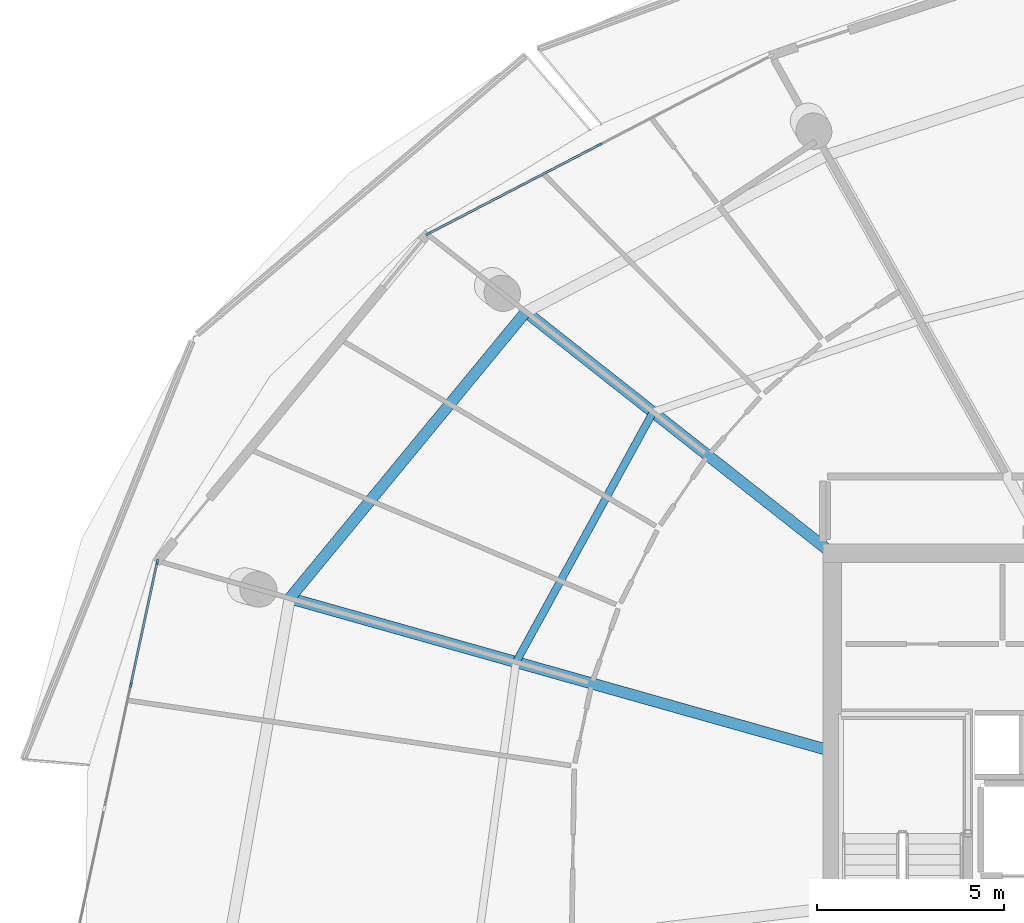
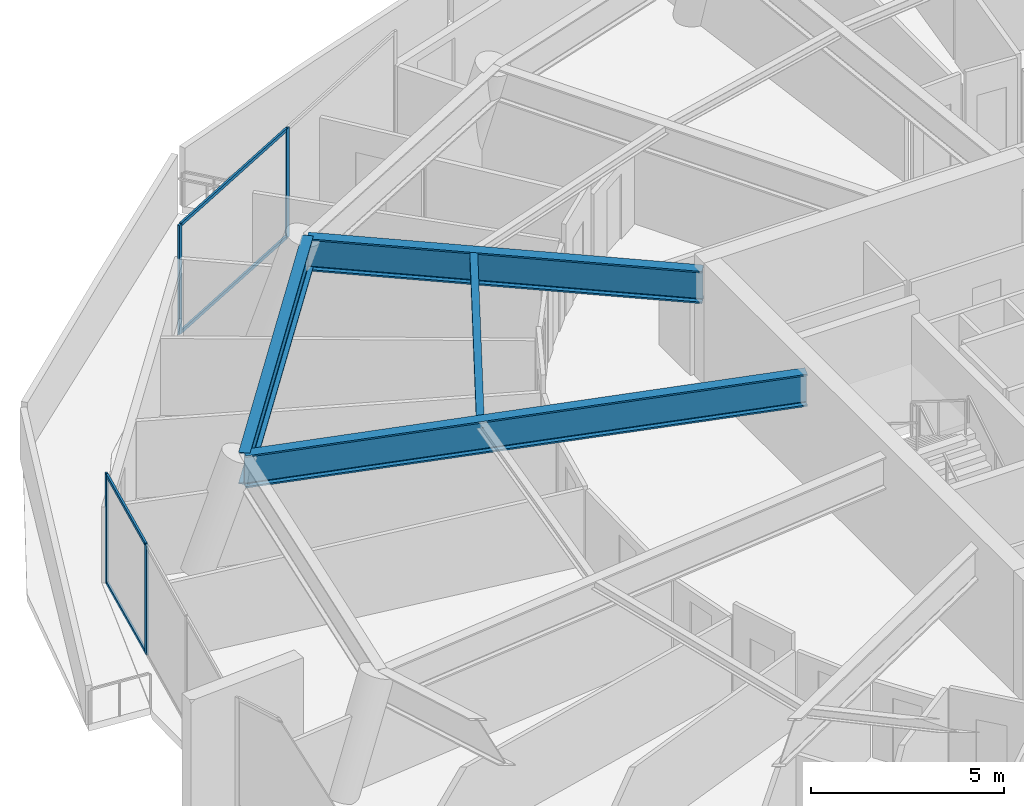
# One storey, part 12 of 30: 8 members, 4 beams, 2 elements without a shape of their own.
"""IFC4 building model written with IfcOpenShell, lengths in metres."""

from ifc_helpers import new_model, si_unit, direction, frame, origin, origin_2d, place, context, subcontext, project, spatial, rectangle, i_section, extrude, material, layer, layer_set, material_profile, profile_set, type_object, element, aggregate, save


model = new_model("IFC4")

# Units and contexts
model_context = context("Model", 3, precision=1e-05, world=origin(), true_north=direction((0.0, 1.0)))
body_context = subcontext(model_context, "Body", "Model", "MODEL_VIEW")
ifc_project = project(units=[si_unit("LENGTHUNIT", "METRE"), si_unit("AREAUNIT", "SQUARE_METRE"), si_unit("VOLUMEUNIT", "CUBIC_METRE"), si_unit("PLANEANGLEUNIT", "RADIAN"), si_unit("MASSUNIT", "GRAM", prefix="KILO")], contexts=[model_context])

# Site, building, storey
site_placement = place(None, origin())
site = spatial("IfcSite", under=ifc_project, at=site_placement, CompositionType="ELEMENT")
building_placement = place(site_placement, origin())
building = spatial("IfcBuilding", under=site, at=building_placement, Name="Kazma Halo Residences", CompositionType="ELEMENT")
storey_placement = place(building_placement, frame((0.0, 0.0, 302.14990234375)))
storey = spatial("IfcBuildingStorey", under=building, at=storey_placement, Name="L76", CompositionType="ELEMENT", Elevation=302.14990234375)

# Beams
ifc_material_1 = material(Name="Steel S355", Category="steel")
ifc_material_profile_1 = material_profile(ifc_material_1, i_section(OverallWidth=0.202880859375, OverallDepth=0.302978515625, WebThickness=0.007568359375, FlangeThickness=0.01318359375, FilletRadius=0.013916015625, at=origin_2d()), Name="W310x60")
ifc_profile_set_1 = profile_set([ifc_material_profile_1], Name="Steel S355")
beam_type_1 = type_object("IfcBeamType", Name="BM-SEC-W310A", PredefinedType="JOIST", material=ifc_profile_set_1)
beam_1_placement = place(storey_placement, frame((32.75, 54.022216796875, 3.298583984375), z_axis=(-0.48038792243, -0.877056123623, 0.0), x_axis=(0.877056123623, -0.48038792243, 0.0)))
element("IfcBeam", 1, at=beam_1_placement, inside=storey, type_object=beam_type_1, Name="L76 circumferential floor joist 06", PredefinedType="JOIST", context=body_context, shape_type="SweptSolid", body=[
    extrude(i_section(OverallWidth=0.202880859375, OverallDepth=0.302978515625, WebThickness=0.007568359375, FlangeThickness=0.01318359375, FilletRadius=0.013916015625, at=origin_2d()), origin(), (0.0, 0.0, 1.0), 7.625732421875),
])
ifc_material_profile_2 = material_profile(ifc_material_1, i_section(OverallWidth=0.302001953125, OverallDepth=1.01806640625, WebThickness=0.021484375, FlangeThickness=0.049072265625, FilletRadius=0.028076171875, at=origin_2d()), Name="W1000x443")
ifc_profile_set_2 = profile_set([ifc_material_profile_2], Name="Steel S355")
beam_type_2 = type_object("IfcBeamType", Name="BM-TRANS-W1000A", PredefinedType="BEAM", material=ifc_profile_set_2)
beam_2_placement = place(storey_placement, frame((37.449951171875, 50.31689453125, 2.941162109375), z_axis=(-0.785319821204, 0.619090282935, 0.0), x_axis=(-0.619090282935, -0.785319821204, 0.0)))
element("IfcBeam", 2, at=beam_2_placement, inside=storey, type_object=beam_type_2, Name="L76 podium radial transfer girder 06", PredefinedType="BEAM", context=body_context, shape_type="SweptSolid", body=[
    extrude(i_section(OverallWidth=0.302001953125, OverallDepth=1.01806640625, WebThickness=0.021484375, FlangeThickness=0.049072265625, FilletRadius=0.028076171875, at=origin_2d()), origin(), (0.0, 0.0, 1.0), 10.319091796875),
])
beam_3_placement = place(storey_placement, frame((37.449951171875, 44.975341796875, 2.941162109375), z_axis=(-0.962453060028, 0.27144816677, 0.0), x_axis=(-0.27144816677, -0.962453060028, 0.0)))
element("IfcBeam", 3, at=beam_3_placement, inside=storey, type_object=beam_type_2, Name="L76 podium radial transfer girder 07", PredefinedType="BEAM", context=body_context, shape_type="SweptSolid", body=[
    extrude(i_section(OverallWidth=0.302001953125, OverallDepth=1.01806640625, WebThickness=0.021484375, FlangeThickness=0.049072265625, FilletRadius=0.028076171875, at=origin_2d()), origin(), (0.0, 0.0, 1.0), 14.982177734375),
])
ifc_material_profile_3 = material_profile(ifc_material_1, i_section(OverallWidth=0.300048828125, OverallDepth=1.0, WebThickness=0.01904296875, FlangeThickness=0.0400390625, FilletRadius=0.02587890625, at=origin_2d()), Name="W1000x371")
ifc_profile_set_3 = profile_set([ifc_material_profile_3], Name="Steel S355")
beam_type_3 = type_object("IfcBeamType", Name="BM-TRANS-W1000B", PredefinedType="BEAM", material=ifc_profile_set_3)
beam_4_placement = place(storey_placement, frame((29.34619140625, 56.705322265625, 2.9501953125), z_axis=(-0.636015706677, -0.771676111371, 0.0), x_axis=(0.771676111371, -0.636015706677, 0.0)))
element("IfcBeam", 4, at=beam_4_placement, inside=storey, type_object=beam_type_3, Name="L76 perimeter ring beam 06", PredefinedType="BEAM", context=body_context, shape_type="SweptSolid", body=[
    extrude(i_section(OverallWidth=0.300048828125, OverallDepth=1.0, WebThickness=0.01904296875, FlangeThickness=0.0400390625, FilletRadius=0.02587890625, at=origin_2d()), origin(), (0.0, 0.0, 1.0), 9.930419921875),
])

# Curtain wall, members
ifc_material_2 = material(Name="Aluminium AW-6063 T6 and Triple-Silver Low-E Glass", Category="aluminium")
ifc_layer = layer(ifc_material_2, 0.139892578125)
ifc_layer_set = layer_set([ifc_layer], Name="Aluminium AW-6063 T6 and Triple-Silver Low-E Glass")
curtain_wall_type = type_object("IfcCurtainWallType", Name="CW-SYS-5", PredefinedType="NOTDEFINED", material=ifc_layer_set)
curtain_wall_1_placement = place(storey_placement, origin())
curtain_wall_1 = element("IfcCurtainWall", 5, at=curtain_wall_1_placement, inside=storey, type_object=curtain_wall_type, Name="L76 unitised curtain wall B05", PredefinedType="NOTDEFINED")
ifc_material_3 = material(Name="Aluminium AW-6063 T6", Category="aluminium")
ifc_material_profile_4 = material_profile(ifc_material_3, rectangle(XDim=0.06005859375, YDim=0.139892578125, at=origin_2d()), Name="CWM-60x140")
ifc_profile_set_4 = profile_set([ifc_material_profile_4], Name="Aluminium AW-6063 T6")
member_type_1 = type_object("IfcMemberType", Name="CW-SYS-5-MUL", PredefinedType="MULLION", material=ifc_profile_set_4)
member_1_placement = place(storey_placement, frame((31.31591796875, 61.175537109375, 0.0), z_axis=(0.0, 0.0, 1.0), x_axis=(0.460960760804, -0.887420518694, 0.0)))
member_1 = element("IfcMember", 6, at=member_1_placement, type_object=member_type_1, Name="CWS-5 mullion 2", PredefinedType="MULLION", context=body_context, shape_type="SweptSolid", body=[
    extrude(rectangle(XDim=0.06005859375, YDim=0.139892578125, at=origin_2d()), origin(), (0.0, 0.0, 1.0), 3.4501953125),
])
member_2_placement = place(storey_placement, frame((26.737060546875, 58.797119140625, 0.0), z_axis=(0.0, 0.0, 1.0), x_axis=(0.460960760804, -0.887420518694, 0.0)))
member_2 = element("IfcMember", 7, at=member_2_placement, type_object=member_type_1, Name="CWS-5 mullion 3", PredefinedType="MULLION", context=body_context, shape_type="SweptSolid", body=[
    extrude(rectangle(XDim=0.06005859375, YDim=0.139892578125, at=origin_2d()), origin(), (0.0, 0.0, 1.0), 3.4501953125),
])

curtain_wall_2_placement = place(storey_placement, origin())
curtain_wall_2 = element("IfcCurtainWall", 8, at=curtain_wall_2_placement, inside=storey, type_object=curtain_wall_type, Name="L76 unitised curtain wall B07", PredefinedType="NOTDEFINED")
member_3_placement = place(storey_placement, frame((19.485107421875, 50.010986328125, 0.0), z_axis=(0.0, 0.0, 1.0), x_axis=(0.97777491373, -0.209657382603, 0.0)))
member_3 = element("IfcMember", 9, at=member_3_placement, type_object=member_type_1, Name="CWS-5 mullion 1", PredefinedType="MULLION", context=body_context, shape_type="SweptSolid", body=[
    extrude(rectangle(XDim=0.06005859375, YDim=0.139892578125, at=origin_2d()), origin(), (0.0, 0.0, 1.0), 3.4501953125),
])
member_4_placement = place(storey_placement, frame((18.781005859375, 46.7265625, 0.0), z_axis=(0.0, 0.0, 1.0), x_axis=(0.97777491373, -0.209657382603, 0.0)))
member_4 = element("IfcMember", 10, at=member_4_placement, type_object=member_type_1, Name="CWS-5 mullion 2", PredefinedType="MULLION", context=body_context, shape_type="SweptSolid", body=[
    extrude(rectangle(XDim=0.06005859375, YDim=0.139892578125, at=origin_2d()), origin(), (0.0, 0.0, 1.0), 3.4501953125),
])

# Member
ifc_material_profile_5 = material_profile(ifc_material_3, rectangle(XDim=0.06005859375, YDim=0.10498046875, at=origin_2d()), Name="CWT-60x105")
ifc_profile_set_5 = profile_set([ifc_material_profile_5], Name="Aluminium AW-6063 T6")
member_type_2 = type_object("IfcMemberType", Name="CW-SYS-5-TRN", PredefinedType="USERDEFINED", material=ifc_profile_set_5)
member_5_placement = place(storey_placement, frame((31.289306640625, 61.16162109375, 0.030029296875), z_axis=(-0.887436955863, -0.46092911534, 0.0), x_axis=(0.46092911534, -0.887436955863, 0.0)))
member_5 = element("IfcMember", 11, at=member_5_placement, type_object=member_type_2, Name="CWS-5 transom 2.1", ObjectType="TRANSOM", PredefinedType="USERDEFINED", context=body_context, shape_type="SweptSolid", body=[
    extrude(rectangle(XDim=0.06005859375, YDim=0.10498046875, at=origin_2d()), origin(), (0.0, 0.0, 1.0), 5.099609375),
])

member_6_placement = place(storey_placement, frame((31.289306640625, 61.16162109375, 3.420166015625), z_axis=(-0.887436955863, -0.46092911534, 0.0), x_axis=(0.46092911534, -0.887436955863, 0.0)))
member_6 = element("IfcMember", 12, at=member_6_placement, type_object=member_type_2, Name="CWS-5 transom 2.2", ObjectType="TRANSOM", PredefinedType="USERDEFINED", context=body_context, shape_type="SweptSolid", body=[
    extrude(rectangle(XDim=0.06005859375, YDim=0.10498046875, at=origin_2d()), origin(), (0.0, 0.0, 1.0), 5.099609375),
])

aggregate(curtain_wall_1, [member_1, member_2, member_5, member_6])

member_7_placement = place(storey_placement, frame((19.47900390625, 49.9814453125, 0.030029296875), z_axis=(-0.209660493552, -0.977774246666, 0.0), x_axis=(0.977774246666, -0.209660493552, 0.0)))
member_7 = element("IfcMember", 13, at=member_7_placement, type_object=member_type_2, Name="CWS-5 transom 1.1", ObjectType="TRANSOM", PredefinedType="USERDEFINED", context=body_context, shape_type="SweptSolid", body=[
    extrude(rectangle(XDim=0.06005859375, YDim=0.10498046875, at=origin_2d()), origin(), (0.0, 0.0, 1.0), 3.298828125),
])

member_8_placement = place(storey_placement, frame((19.47900390625, 49.9814453125, 3.420166015625), z_axis=(-0.209660493552, -0.977774246666, 0.0), x_axis=(0.977774246666, -0.209660493552, 0.0)))
member_8 = element("IfcMember", 14, at=member_8_placement, type_object=member_type_2, Name="CWS-5 transom 1.2", ObjectType="TRANSOM", PredefinedType="USERDEFINED", context=body_context, shape_type="SweptSolid", body=[
    extrude(rectangle(XDim=0.06005859375, YDim=0.10498046875, at=origin_2d()), origin(), (0.0, 0.0, 1.0), 3.298828125),
])

aggregate(curtain_wall_2, [member_3, member_4, member_7, member_8])

save(model, "model.ifc")
